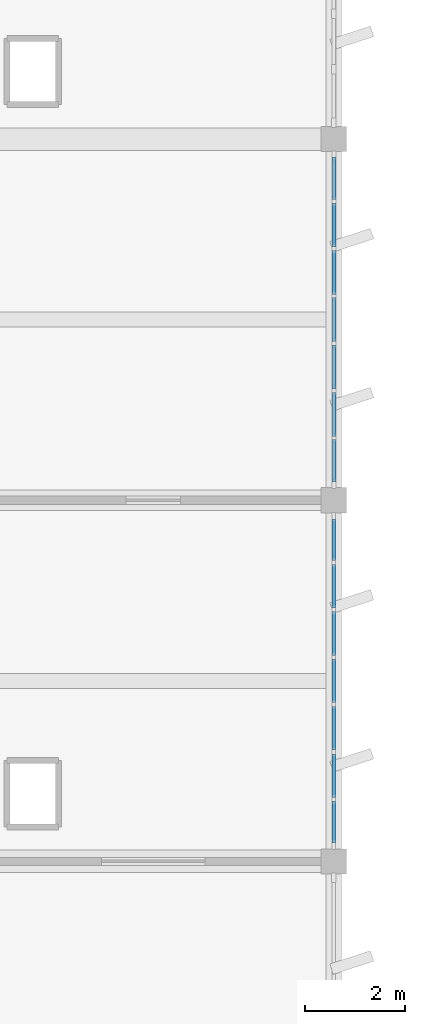
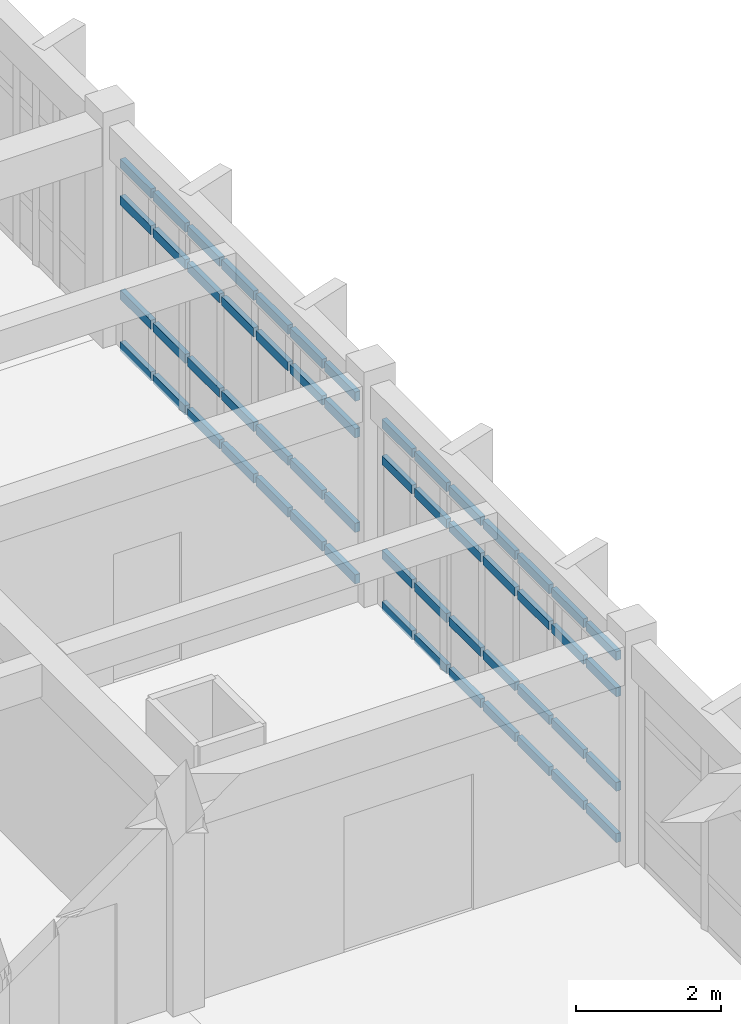
# One storey, part 23 of 40: 56 members, 2 elements without a shape of their own.
"""IFC4 building model written with IfcOpenShell, lengths in metres."""

from ifc_helpers import new_model, si_unit, direction, frame, origin, origin_2d, place, context, subcontext, project, spatial, rectangle, extrude, material, layer, layer_set, material_profile, profile_set, type_object, element, aggregate, save


model = new_model("IFC4")

# Units and contexts
model_context = context("Model", 3, precision=1e-05, world=origin(), true_north=direction((0.0, 1.0)))
body_context = subcontext(model_context, "Body", "Model", "MODEL_VIEW")
ifc_project = project(units=[si_unit("LENGTHUNIT", "METRE"), si_unit("AREAUNIT", "SQUARE_METRE"), si_unit("VOLUMEUNIT", "CUBIC_METRE"), si_unit("PLANEANGLEUNIT", "RADIAN"), si_unit("MASSUNIT", "GRAM", prefix="KILO")], contexts=[model_context])

# Site, building, storey
site_placement = place(None, origin())
site = spatial("IfcSite", under=ifc_project, at=site_placement, CompositionType="ELEMENT")
building_placement = place(site_placement, origin())
building = spatial("IfcBuilding", under=site, at=building_placement, Name="Kavelor Marine Aquarium", CompositionType="ELEMENT")
storey_placement = place(building_placement, frame((0.0, 0.0, 17.639892578125)))
storey = spatial("IfcBuildingStorey", under=building, at=storey_placement, Name="L04", CompositionType="ELEMENT", Elevation=17.639892578125)

# Curtain wall, members
ifc_material_1 = material(Name="Thermally Broken Aluminium and Low-E Glass", Category="aluminium")
ifc_layer_1 = layer(ifc_material_1, 0.14794921875)
ifc_layer_set_1 = layer_set([ifc_layer_1], Name="CW-SYS1")
curtain_wall_type_1 = type_object("IfcCurtainWallType", Name="CW-SYS1", PredefinedType="USERDEFINED", material=ifc_layer_set_1)
curtain_wall_1_placement = place(storey_placement, origin())
curtain_wall_1 = element("IfcCurtainWall", 1, at=curtain_wall_1_placement, inside=storey, type_object=curtain_wall_type_1, Name="cw:y:L04:20_11", ObjectType="Curtain Wall", PredefinedType="USERDEFINED")
ifc_material_2 = material(Name="Anodised Aluminium Alloy 6063-T6", Category="aluminium")
ifc_material_profile_1 = material_profile(ifc_material_2, rectangle(XDim=0.074951171875, YDim=0.14990234375, at=origin_2d()), Name="CW-TRN 75x150")
ifc_profile_set_1 = profile_set([ifc_material_profile_1], Name="Anodised Aluminium Alloy 6063-T6")
member_type_1 = type_object("IfcMemberType", Name="CWT-1", PredefinedType="USERDEFINED", material=ifc_profile_set_1)
member_1_placement = place(storey_placement, frame((147.199951171875, 82.3701171875, 0.03759765625), z_axis=(0.0, 1.0, 0.0), x_axis=(-1.0, 0.0, 0.0)))
member_1 = element("IfcMember", 2, at=member_1_placement, type_object=member_type_1, Name="CW01 transom 1.1", ObjectType="TRANSOM", PredefinedType="USERDEFINED", context=body_context, shape_type="SweptSolid", body=[
    extrude(rectangle(XDim=0.074951171875, YDim=0.14990234375, at=origin_2d()), origin(), (0.0, 0.0, 1.0), 0.831787109375),
])
member_2_placement = place(storey_placement, frame((147.199951171875, 82.3701171875, 0.900146484375), z_axis=(0.0, 1.0, 0.0), x_axis=(-1.0, 0.0, 0.0)))
member_2 = element("IfcMember", 3, at=member_2_placement, type_object=member_type_1, Name="CW01 transom 1.2", ObjectType="TRANSOM", PredefinedType="USERDEFINED", context=body_context, shape_type="SweptSolid", body=[
    extrude(rectangle(XDim=0.074951171875, YDim=0.14990234375, at=origin_2d()), origin(), (0.0, 0.0, 1.0), 0.831787109375),
])
member_3_placement = place(storey_placement, frame((147.199951171875, 82.3701171875, 2.489990234375), z_axis=(0.0, 1.0, 0.0), x_axis=(-1.0, 0.0, 0.0)))
member_3 = element("IfcMember", 4, at=member_3_placement, type_object=member_type_1, Name="CW01 transom 1.3", ObjectType="TRANSOM", PredefinedType="USERDEFINED", context=body_context, shape_type="SweptSolid", body=[
    extrude(rectangle(XDim=0.074951171875, YDim=0.14990234375, at=origin_2d()), origin(), (0.0, 0.0, 1.0), 0.831787109375),
])
member_4_placement = place(storey_placement, frame((147.199951171875, 82.3701171875, 3.1025390625), z_axis=(0.0, 1.0, 0.0), x_axis=(-1.0, 0.0, 0.0)))
member_4 = element("IfcMember", 5, at=member_4_placement, type_object=member_type_1, Name="CW01 transom 1.4", ObjectType="TRANSOM", PredefinedType="USERDEFINED", context=body_context, shape_type="SweptSolid", body=[
    extrude(rectangle(XDim=0.074951171875, YDim=0.14990234375, at=origin_2d()), origin(), (0.0, 0.0, 1.0), 0.831787109375),
])
member_5_placement = place(storey_placement, frame((147.199951171875, 83.27685546875, 0.03759765625), z_axis=(0.0, 1.0, 0.0), x_axis=(-1.0, 0.0, 0.0)))
member_5 = element("IfcMember", 6, at=member_5_placement, type_object=member_type_1, Name="CW01 transom 2.1", ObjectType="TRANSOM", PredefinedType="USERDEFINED", context=body_context, shape_type="SweptSolid", body=[
    extrude(rectangle(XDim=0.074951171875, YDim=0.14990234375, at=origin_2d()), origin(), (0.0, 0.0, 1.0), 0.869140625),
])
member_6_placement = place(storey_placement, frame((147.199951171875, 83.27685546875, 0.900146484375), z_axis=(0.0, 1.0, 0.0), x_axis=(-1.0, 0.0, 0.0)))
member_6 = element("IfcMember", 7, at=member_6_placement, type_object=member_type_1, Name="CW01 transom 2.2", ObjectType="TRANSOM", PredefinedType="USERDEFINED", context=body_context, shape_type="SweptSolid", body=[
    extrude(rectangle(XDim=0.074951171875, YDim=0.14990234375, at=origin_2d()), origin(), (0.0, 0.0, 1.0), 0.869140625),
])
member_7_placement = place(storey_placement, frame((147.199951171875, 83.27685546875, 2.489990234375), z_axis=(0.0, 1.0, 0.0), x_axis=(-1.0, 0.0, 0.0)))
member_7 = element("IfcMember", 8, at=member_7_placement, type_object=member_type_1, Name="CW01 transom 2.3", ObjectType="TRANSOM", PredefinedType="USERDEFINED", context=body_context, shape_type="SweptSolid", body=[
    extrude(rectangle(XDim=0.074951171875, YDim=0.14990234375, at=origin_2d()), origin(), (0.0, 0.0, 1.0), 0.869140625),
])
member_8_placement = place(storey_placement, frame((147.199951171875, 83.27685546875, 3.1025390625), z_axis=(0.0, 1.0, 0.0), x_axis=(-1.0, 0.0, 0.0)))
member_8 = element("IfcMember", 9, at=member_8_placement, type_object=member_type_1, Name="CW01 transom 2.4", ObjectType="TRANSOM", PredefinedType="USERDEFINED", context=body_context, shape_type="SweptSolid", body=[
    extrude(rectangle(XDim=0.074951171875, YDim=0.14990234375, at=origin_2d()), origin(), (0.0, 0.0, 1.0), 0.869140625),
])
member_9_placement = place(storey_placement, frame((147.199951171875, 84.22119140625, 0.03759765625), z_axis=(0.0, 1.0, 0.0), x_axis=(-1.0, 0.0, 0.0)))
member_9 = element("IfcMember", 10, at=member_9_placement, type_object=member_type_1, Name="CW01 transom 3.1", ObjectType="TRANSOM", PredefinedType="USERDEFINED", context=body_context, shape_type="SweptSolid", body=[
    extrude(rectangle(XDim=0.074951171875, YDim=0.14990234375, at=origin_2d()), origin(), (0.0, 0.0, 1.0), 0.869140625),
])
member_10_placement = place(storey_placement, frame((147.199951171875, 84.22119140625, 0.900146484375), z_axis=(0.0, 1.0, 0.0), x_axis=(-1.0, 0.0, 0.0)))
member_10 = element("IfcMember", 11, at=member_10_placement, type_object=member_type_1, Name="CW01 transom 3.2", ObjectType="TRANSOM", PredefinedType="USERDEFINED", context=body_context, shape_type="SweptSolid", body=[
    extrude(rectangle(XDim=0.074951171875, YDim=0.14990234375, at=origin_2d()), origin(), (0.0, 0.0, 1.0), 0.869140625),
])
member_11_placement = place(storey_placement, frame((147.199951171875, 84.22119140625, 2.489990234375), z_axis=(0.0, 1.0, 0.0), x_axis=(-1.0, 0.0, 0.0)))
member_11 = element("IfcMember", 12, at=member_11_placement, type_object=member_type_1, Name="CW01 transom 3.3", ObjectType="TRANSOM", PredefinedType="USERDEFINED", context=body_context, shape_type="SweptSolid", body=[
    extrude(rectangle(XDim=0.074951171875, YDim=0.14990234375, at=origin_2d()), origin(), (0.0, 0.0, 1.0), 0.869140625),
])
member_12_placement = place(storey_placement, frame((147.199951171875, 84.22119140625, 3.1025390625), z_axis=(0.0, 1.0, 0.0), x_axis=(-1.0, 0.0, 0.0)))
member_12 = element("IfcMember", 13, at=member_12_placement, type_object=member_type_1, Name="CW01 transom 3.4", ObjectType="TRANSOM", PredefinedType="USERDEFINED", context=body_context, shape_type="SweptSolid", body=[
    extrude(rectangle(XDim=0.074951171875, YDim=0.14990234375, at=origin_2d()), origin(), (0.0, 0.0, 1.0), 0.869140625),
])
member_13_placement = place(storey_placement, frame((147.199951171875, 85.165283203125, 0.03759765625), z_axis=(0.0, 1.0, 0.0), x_axis=(-1.0, 0.0, 0.0)))
member_13 = element("IfcMember", 14, at=member_13_placement, type_object=member_type_1, Name="CW01 transom 4.1", ObjectType="TRANSOM", PredefinedType="USERDEFINED", context=body_context, shape_type="SweptSolid", body=[
    extrude(rectangle(XDim=0.074951171875, YDim=0.14990234375, at=origin_2d()), origin(), (0.0, 0.0, 1.0), 0.869384765625),
])
member_14_placement = place(storey_placement, frame((147.199951171875, 85.165283203125, 0.900146484375), z_axis=(0.0, 1.0, 0.0), x_axis=(-1.0, 0.0, 0.0)))
member_14 = element("IfcMember", 15, at=member_14_placement, type_object=member_type_1, Name="CW01 transom 4.2", ObjectType="TRANSOM", PredefinedType="USERDEFINED", context=body_context, shape_type="SweptSolid", body=[
    extrude(rectangle(XDim=0.074951171875, YDim=0.14990234375, at=origin_2d()), origin(), (0.0, 0.0, 1.0), 0.869384765625),
])
member_15_placement = place(storey_placement, frame((147.199951171875, 85.165283203125, 2.489990234375), z_axis=(0.0, 1.0, 0.0), x_axis=(-1.0, 0.0, 0.0)))
member_15 = element("IfcMember", 16, at=member_15_placement, type_object=member_type_1, Name="CW01 transom 4.3", ObjectType="TRANSOM", PredefinedType="USERDEFINED", context=body_context, shape_type="SweptSolid", body=[
    extrude(rectangle(XDim=0.074951171875, YDim=0.14990234375, at=origin_2d()), origin(), (0.0, 0.0, 1.0), 0.869384765625),
])
member_16_placement = place(storey_placement, frame((147.199951171875, 85.165283203125, 3.1025390625), z_axis=(0.0, 1.0, 0.0), x_axis=(-1.0, 0.0, 0.0)))
member_16 = element("IfcMember", 17, at=member_16_placement, type_object=member_type_1, Name="CW01 transom 4.4", ObjectType="TRANSOM", PredefinedType="USERDEFINED", context=body_context, shape_type="SweptSolid", body=[
    extrude(rectangle(XDim=0.074951171875, YDim=0.14990234375, at=origin_2d()), origin(), (0.0, 0.0, 1.0), 0.869384765625),
])
member_17_placement = place(storey_placement, frame((147.199951171875, 86.109619140625, 0.03759765625), z_axis=(0.0, 1.0, 0.0), x_axis=(-1.0, 0.0, 0.0)))
member_17 = element("IfcMember", 18, at=member_17_placement, type_object=member_type_1, Name="CW01 transom 5.1", ObjectType="TRANSOM", PredefinedType="USERDEFINED", context=body_context, shape_type="SweptSolid", body=[
    extrude(rectangle(XDim=0.074951171875, YDim=0.14990234375, at=origin_2d()), origin(), (0.0, 0.0, 1.0), 0.869384765625),
])
member_18_placement = place(storey_placement, frame((147.199951171875, 86.109619140625, 0.900146484375), z_axis=(0.0, 1.0, 0.0), x_axis=(-1.0, 0.0, 0.0)))
member_18 = element("IfcMember", 19, at=member_18_placement, type_object=member_type_1, Name="CW01 transom 5.2", ObjectType="TRANSOM", PredefinedType="USERDEFINED", context=body_context, shape_type="SweptSolid", body=[
    extrude(rectangle(XDim=0.074951171875, YDim=0.14990234375, at=origin_2d()), origin(), (0.0, 0.0, 1.0), 0.869384765625),
])
member_19_placement = place(storey_placement, frame((147.199951171875, 86.109619140625, 2.489990234375), z_axis=(0.0, 1.0, 0.0), x_axis=(-1.0, 0.0, 0.0)))
member_19 = element("IfcMember", 20, at=member_19_placement, type_object=member_type_1, Name="CW01 transom 5.3", ObjectType="TRANSOM", PredefinedType="USERDEFINED", context=body_context, shape_type="SweptSolid", body=[
    extrude(rectangle(XDim=0.074951171875, YDim=0.14990234375, at=origin_2d()), origin(), (0.0, 0.0, 1.0), 0.869384765625),
])
member_20_placement = place(storey_placement, frame((147.199951171875, 86.109619140625, 3.1025390625), z_axis=(0.0, 1.0, 0.0), x_axis=(-1.0, 0.0, 0.0)))
member_20 = element("IfcMember", 21, at=member_20_placement, type_object=member_type_1, Name="CW01 transom 5.4", ObjectType="TRANSOM", PredefinedType="USERDEFINED", context=body_context, shape_type="SweptSolid", body=[
    extrude(rectangle(XDim=0.074951171875, YDim=0.14990234375, at=origin_2d()), origin(), (0.0, 0.0, 1.0), 0.869384765625),
])
member_21_placement = place(storey_placement, frame((147.199951171875, 87.053955078125, 0.03759765625), z_axis=(0.0, 1.0, 0.0), x_axis=(-1.0, 0.0, 0.0)))
member_21 = element("IfcMember", 22, at=member_21_placement, type_object=member_type_1, Name="CW01 transom 6.1", ObjectType="TRANSOM", PredefinedType="USERDEFINED", context=body_context, shape_type="SweptSolid", body=[
    extrude(rectangle(XDim=0.074951171875, YDim=0.14990234375, at=origin_2d()), origin(), (0.0, 0.0, 1.0), 0.869140625),
])
member_22_placement = place(storey_placement, frame((147.199951171875, 87.053955078125, 0.900146484375), z_axis=(0.0, 1.0, 0.0), x_axis=(-1.0, 0.0, 0.0)))
member_22 = element("IfcMember", 23, at=member_22_placement, type_object=member_type_1, Name="CW01 transom 6.2", ObjectType="TRANSOM", PredefinedType="USERDEFINED", context=body_context, shape_type="SweptSolid", body=[
    extrude(rectangle(XDim=0.074951171875, YDim=0.14990234375, at=origin_2d()), origin(), (0.0, 0.0, 1.0), 0.869140625),
])
member_23_placement = place(storey_placement, frame((147.199951171875, 87.053955078125, 2.489990234375), z_axis=(0.0, 1.0, 0.0), x_axis=(-1.0, 0.0, 0.0)))
member_23 = element("IfcMember", 24, at=member_23_placement, type_object=member_type_1, Name="CW01 transom 6.3", ObjectType="TRANSOM", PredefinedType="USERDEFINED", context=body_context, shape_type="SweptSolid", body=[
    extrude(rectangle(XDim=0.074951171875, YDim=0.14990234375, at=origin_2d()), origin(), (0.0, 0.0, 1.0), 0.869140625),
])
member_24_placement = place(storey_placement, frame((147.199951171875, 87.053955078125, 3.1025390625), z_axis=(0.0, 1.0, 0.0), x_axis=(-1.0, 0.0, 0.0)))
member_24 = element("IfcMember", 25, at=member_24_placement, type_object=member_type_1, Name="CW01 transom 6.4", ObjectType="TRANSOM", PredefinedType="USERDEFINED", context=body_context, shape_type="SweptSolid", body=[
    extrude(rectangle(XDim=0.074951171875, YDim=0.14990234375, at=origin_2d()), origin(), (0.0, 0.0, 1.0), 0.869140625),
])
member_25_placement = place(storey_placement, frame((147.199951171875, 87.998291015625, 0.03759765625), z_axis=(0.0, 1.0, 0.0), x_axis=(-1.0, 0.0, 0.0)))
member_25 = element("IfcMember", 26, at=member_25_placement, type_object=member_type_1, Name="CW01 transom 7.1", ObjectType="TRANSOM", PredefinedType="USERDEFINED", context=body_context, shape_type="SweptSolid", body=[
    extrude(rectangle(XDim=0.074951171875, YDim=0.14990234375, at=origin_2d()), origin(), (0.0, 0.0, 1.0), 0.831787109375),
])
member_26_placement = place(storey_placement, frame((147.199951171875, 87.998291015625, 0.900146484375), z_axis=(0.0, 1.0, 0.0), x_axis=(-1.0, 0.0, 0.0)))
member_26 = element("IfcMember", 27, at=member_26_placement, type_object=member_type_1, Name="CW01 transom 7.2", ObjectType="TRANSOM", PredefinedType="USERDEFINED", context=body_context, shape_type="SweptSolid", body=[
    extrude(rectangle(XDim=0.074951171875, YDim=0.14990234375, at=origin_2d()), origin(), (0.0, 0.0, 1.0), 0.831787109375),
])
member_27_placement = place(storey_placement, frame((147.199951171875, 87.998291015625, 2.489990234375), z_axis=(0.0, 1.0, 0.0), x_axis=(-1.0, 0.0, 0.0)))
member_27 = element("IfcMember", 28, at=member_27_placement, type_object=member_type_1, Name="CW01 transom 7.3", ObjectType="TRANSOM", PredefinedType="USERDEFINED", context=body_context, shape_type="SweptSolid", body=[
    extrude(rectangle(XDim=0.074951171875, YDim=0.14990234375, at=origin_2d()), origin(), (0.0, 0.0, 1.0), 0.831787109375),
])
member_28_placement = place(storey_placement, frame((147.199951171875, 87.998291015625, 3.1025390625), z_axis=(0.0, 1.0, 0.0), x_axis=(-1.0, 0.0, 0.0)))
member_28 = element("IfcMember", 29, at=member_28_placement, type_object=member_type_1, Name="CW01 transom 7.4", ObjectType="TRANSOM", PredefinedType="USERDEFINED", context=body_context, shape_type="SweptSolid", body=[
    extrude(rectangle(XDim=0.074951171875, YDim=0.14990234375, at=origin_2d()), origin(), (0.0, 0.0, 1.0), 0.831787109375),
])
aggregate(curtain_wall_1, [member_1, member_2, member_3, member_4, member_5, member_6, member_7, member_8, member_9, member_10, member_11, member_12, member_13, member_14, member_15, member_16, member_17, member_18, member_19, member_20, member_21, member_22, member_23, member_24, member_25, member_26, member_27, member_28])

ifc_material_3 = material(Name="Thermally Broken Aluminium and Low-E Glass", Category="aluminium")
ifc_layer_2 = layer(ifc_material_3, 0.156005859375)
ifc_layer_set_2 = layer_set([ifc_layer_2], Name="CW-SYS2")
curtain_wall_type_2 = type_object("IfcCurtainWallType", Name="CW-SYS2", PredefinedType="USERDEFINED", material=ifc_layer_set_2)
curtain_wall_2_placement = place(storey_placement, origin())
curtain_wall_2 = element("IfcCurtainWall", 30, at=curtain_wall_2_placement, inside=storey, type_object=curtain_wall_type_2, Name="cw:y:L04:20_12", ObjectType="Curtain Wall", PredefinedType="USERDEFINED")
ifc_material_4 = material(Name="Anodised Aluminium Alloy 6063-T6", Category="aluminium")
ifc_material_profile_2 = material_profile(ifc_material_4, rectangle(XDim=0.080078125, YDim=0.155029296875, at=origin_2d()), Name="CW-TRN 80x155")
ifc_profile_set_2 = profile_set([ifc_material_profile_2], Name="Anodised Aluminium Alloy 6063-T6")
member_type_2 = type_object("IfcMemberType", Name="CWT-2", PredefinedType="USERDEFINED", material=ifc_profile_set_2)
member_29_placement = place(storey_placement, frame((147.199951171875, 89.56005859375, 0.03271484375), z_axis=(0.0, 1.0, 0.0), x_axis=(-1.0, 0.0, 0.0)))
member_29 = element("IfcMember", 31, at=member_29_placement, type_object=member_type_2, Name="CW02 transom 1.1", ObjectType="TRANSOM", PredefinedType="USERDEFINED", context=body_context, shape_type="SweptSolid", body=[
    extrude(rectangle(XDim=0.080078125, YDim=0.155029296875, at=origin_2d()), origin(), (0.0, 0.0, 1.0), 0.8466796875),
])
member_30_placement = place(storey_placement, frame((147.199951171875, 89.56005859375, 0.900146484375), z_axis=(0.0, 1.0, 0.0), x_axis=(-1.0, 0.0, 0.0)))
member_30 = element("IfcMember", 32, at=member_30_placement, type_object=member_type_2, Name="CW02 transom 1.2", ObjectType="TRANSOM", PredefinedType="USERDEFINED", context=body_context, shape_type="SweptSolid", body=[
    extrude(rectangle(XDim=0.080078125, YDim=0.155029296875, at=origin_2d()), origin(), (0.0, 0.0, 1.0), 0.8466796875),
])
member_31_placement = place(storey_placement, frame((147.199951171875, 89.56005859375, 2.489990234375), z_axis=(0.0, 1.0, 0.0), x_axis=(-1.0, 0.0, 0.0)))
member_31 = element("IfcMember", 33, at=member_31_placement, type_object=member_type_2, Name="CW02 transom 1.3", ObjectType="TRANSOM", PredefinedType="USERDEFINED", context=body_context, shape_type="SweptSolid", body=[
    extrude(rectangle(XDim=0.080078125, YDim=0.155029296875, at=origin_2d()), origin(), (0.0, 0.0, 1.0), 0.8466796875),
])
member_32_placement = place(storey_placement, frame((147.199951171875, 89.56005859375, 3.107666015625), z_axis=(0.0, 1.0, 0.0), x_axis=(-1.0, 0.0, 0.0)))
member_32 = element("IfcMember", 34, at=member_32_placement, type_object=member_type_2, Name="CW02 transom 1.4", ObjectType="TRANSOM", PredefinedType="USERDEFINED", context=body_context, shape_type="SweptSolid", body=[
    extrude(rectangle(XDim=0.080078125, YDim=0.155029296875, at=origin_2d()), origin(), (0.0, 0.0, 1.0), 0.8466796875),
])
member_33_placement = place(storey_placement, frame((147.199951171875, 90.4716796875, 0.03271484375), z_axis=(0.0, 1.0, 0.0), x_axis=(-1.0, 0.0, 0.0)))
member_33 = element("IfcMember", 35, at=member_33_placement, type_object=member_type_2, Name="CW02 transom 2.1", ObjectType="TRANSOM", PredefinedType="USERDEFINED", context=body_context, shape_type="SweptSolid", body=[
    extrude(rectangle(XDim=0.080078125, YDim=0.155029296875, at=origin_2d()), origin(), (0.0, 0.0, 1.0), 0.87939453125),
])
member_34_placement = place(storey_placement, frame((147.199951171875, 90.4716796875, 0.900146484375), z_axis=(0.0, 1.0, 0.0), x_axis=(-1.0, 0.0, 0.0)))
member_34 = element("IfcMember", 36, at=member_34_placement, type_object=member_type_2, Name="CW02 transom 2.2", ObjectType="TRANSOM", PredefinedType="USERDEFINED", context=body_context, shape_type="SweptSolid", body=[
    extrude(rectangle(XDim=0.080078125, YDim=0.155029296875, at=origin_2d()), origin(), (0.0, 0.0, 1.0), 0.87939453125),
])
member_35_placement = place(storey_placement, frame((147.199951171875, 90.4716796875, 2.489990234375), z_axis=(0.0, 1.0, 0.0), x_axis=(-1.0, 0.0, 0.0)))
member_35 = element("IfcMember", 37, at=member_35_placement, type_object=member_type_2, Name="CW02 transom 2.3", ObjectType="TRANSOM", PredefinedType="USERDEFINED", context=body_context, shape_type="SweptSolid", body=[
    extrude(rectangle(XDim=0.080078125, YDim=0.155029296875, at=origin_2d()), origin(), (0.0, 0.0, 1.0), 0.87939453125),
])
member_36_placement = place(storey_placement, frame((147.199951171875, 90.4716796875, 3.107666015625), z_axis=(0.0, 1.0, 0.0), x_axis=(-1.0, 0.0, 0.0)))
member_36 = element("IfcMember", 38, at=member_36_placement, type_object=member_type_2, Name="CW02 transom 2.4", ObjectType="TRANSOM", PredefinedType="USERDEFINED", context=body_context, shape_type="SweptSolid", body=[
    extrude(rectangle(XDim=0.080078125, YDim=0.155029296875, at=origin_2d()), origin(), (0.0, 0.0, 1.0), 0.87939453125),
])
member_37_placement = place(storey_placement, frame((147.199951171875, 91.416015625, 0.03271484375), z_axis=(0.0, 1.0, 0.0), x_axis=(-1.0, 0.0, 0.0)))
member_37 = element("IfcMember", 39, at=member_37_placement, type_object=member_type_2, Name="CW02 transom 3.1", ObjectType="TRANSOM", PredefinedType="USERDEFINED", context=body_context, shape_type="SweptSolid", body=[
    extrude(rectangle(XDim=0.080078125, YDim=0.155029296875, at=origin_2d()), origin(), (0.0, 0.0, 1.0), 0.87939453125),
])
member_38_placement = place(storey_placement, frame((147.199951171875, 91.416015625, 0.900146484375), z_axis=(0.0, 1.0, 0.0), x_axis=(-1.0, 0.0, 0.0)))
member_38 = element("IfcMember", 40, at=member_38_placement, type_object=member_type_2, Name="CW02 transom 3.2", ObjectType="TRANSOM", PredefinedType="USERDEFINED", context=body_context, shape_type="SweptSolid", body=[
    extrude(rectangle(XDim=0.080078125, YDim=0.155029296875, at=origin_2d()), origin(), (0.0, 0.0, 1.0), 0.87939453125),
])
member_39_placement = place(storey_placement, frame((147.199951171875, 91.416015625, 2.489990234375), z_axis=(0.0, 1.0, 0.0), x_axis=(-1.0, 0.0, 0.0)))
member_39 = element("IfcMember", 41, at=member_39_placement, type_object=member_type_2, Name="CW02 transom 3.3", ObjectType="TRANSOM", PredefinedType="USERDEFINED", context=body_context, shape_type="SweptSolid", body=[
    extrude(rectangle(XDim=0.080078125, YDim=0.155029296875, at=origin_2d()), origin(), (0.0, 0.0, 1.0), 0.87939453125),
])
member_40_placement = place(storey_placement, frame((147.199951171875, 91.416015625, 3.107666015625), z_axis=(0.0, 1.0, 0.0), x_axis=(-1.0, 0.0, 0.0)))
member_40 = element("IfcMember", 42, at=member_40_placement, type_object=member_type_2, Name="CW02 transom 3.4", ObjectType="TRANSOM", PredefinedType="USERDEFINED", context=body_context, shape_type="SweptSolid", body=[
    extrude(rectangle(XDim=0.080078125, YDim=0.155029296875, at=origin_2d()), origin(), (0.0, 0.0, 1.0), 0.87939453125),
])
member_41_placement = place(storey_placement, frame((147.199951171875, 92.3603515625, 0.03271484375), z_axis=(0.0, 1.0, 0.0), x_axis=(-1.0, 0.0, 0.0)))
member_41 = element("IfcMember", 43, at=member_41_placement, type_object=member_type_2, Name="CW02 transom 4.1", ObjectType="TRANSOM", PredefinedType="USERDEFINED", context=body_context, shape_type="SweptSolid", body=[
    extrude(rectangle(XDim=0.080078125, YDim=0.155029296875, at=origin_2d()), origin(), (0.0, 0.0, 1.0), 0.87939453125),
])
member_42_placement = place(storey_placement, frame((147.199951171875, 92.3603515625, 0.900146484375), z_axis=(0.0, 1.0, 0.0), x_axis=(-1.0, 0.0, 0.0)))
member_42 = element("IfcMember", 44, at=member_42_placement, type_object=member_type_2, Name="CW02 transom 4.2", ObjectType="TRANSOM", PredefinedType="USERDEFINED", context=body_context, shape_type="SweptSolid", body=[
    extrude(rectangle(XDim=0.080078125, YDim=0.155029296875, at=origin_2d()), origin(), (0.0, 0.0, 1.0), 0.87939453125),
])
member_43_placement = place(storey_placement, frame((147.199951171875, 92.3603515625, 2.489990234375), z_axis=(0.0, 1.0, 0.0), x_axis=(-1.0, 0.0, 0.0)))
member_43 = element("IfcMember", 45, at=member_43_placement, type_object=member_type_2, Name="CW02 transom 4.3", ObjectType="TRANSOM", PredefinedType="USERDEFINED", context=body_context, shape_type="SweptSolid", body=[
    extrude(rectangle(XDim=0.080078125, YDim=0.155029296875, at=origin_2d()), origin(), (0.0, 0.0, 1.0), 0.87939453125),
])
member_44_placement = place(storey_placement, frame((147.199951171875, 92.3603515625, 3.107666015625), z_axis=(0.0, 1.0, 0.0), x_axis=(-1.0, 0.0, 0.0)))
member_44 = element("IfcMember", 46, at=member_44_placement, type_object=member_type_2, Name="CW02 transom 4.4", ObjectType="TRANSOM", PredefinedType="USERDEFINED", context=body_context, shape_type="SweptSolid", body=[
    extrude(rectangle(XDim=0.080078125, YDim=0.155029296875, at=origin_2d()), origin(), (0.0, 0.0, 1.0), 0.87939453125),
])
member_45_placement = place(storey_placement, frame((147.199951171875, 93.3046875, 0.03271484375), z_axis=(0.0, 1.0, 0.0), x_axis=(-1.0, 0.0, 0.0)))
member_45 = element("IfcMember", 47, at=member_45_placement, type_object=member_type_2, Name="CW02 transom 5.1", ObjectType="TRANSOM", PredefinedType="USERDEFINED", context=body_context, shape_type="SweptSolid", body=[
    extrude(rectangle(XDim=0.080078125, YDim=0.155029296875, at=origin_2d()), origin(), (0.0, 0.0, 1.0), 0.879150390625),
])
member_46_placement = place(storey_placement, frame((147.199951171875, 93.3046875, 0.900146484375), z_axis=(0.0, 1.0, 0.0), x_axis=(-1.0, 0.0, 0.0)))
member_46 = element("IfcMember", 48, at=member_46_placement, type_object=member_type_2, Name="CW02 transom 5.2", ObjectType="TRANSOM", PredefinedType="USERDEFINED", context=body_context, shape_type="SweptSolid", body=[
    extrude(rectangle(XDim=0.080078125, YDim=0.155029296875, at=origin_2d()), origin(), (0.0, 0.0, 1.0), 0.879150390625),
])
member_47_placement = place(storey_placement, frame((147.199951171875, 93.3046875, 2.489990234375), z_axis=(0.0, 1.0, 0.0), x_axis=(-1.0, 0.0, 0.0)))
member_47 = element("IfcMember", 49, at=member_47_placement, type_object=member_type_2, Name="CW02 transom 5.3", ObjectType="TRANSOM", PredefinedType="USERDEFINED", context=body_context, shape_type="SweptSolid", body=[
    extrude(rectangle(XDim=0.080078125, YDim=0.155029296875, at=origin_2d()), origin(), (0.0, 0.0, 1.0), 0.879150390625),
])
member_48_placement = place(storey_placement, frame((147.199951171875, 93.3046875, 3.107666015625), z_axis=(0.0, 1.0, 0.0), x_axis=(-1.0, 0.0, 0.0)))
member_48 = element("IfcMember", 50, at=member_48_placement, type_object=member_type_2, Name="CW02 transom 5.4", ObjectType="TRANSOM", PredefinedType="USERDEFINED", context=body_context, shape_type="SweptSolid", body=[
    extrude(rectangle(XDim=0.080078125, YDim=0.155029296875, at=origin_2d()), origin(), (0.0, 0.0, 1.0), 0.879150390625),
])
member_49_placement = place(storey_placement, frame((147.199951171875, 94.2490234375, 0.03271484375), z_axis=(0.0, 1.0, 0.0), x_axis=(-1.0, 0.0, 0.0)))
member_49 = element("IfcMember", 51, at=member_49_placement, type_object=member_type_2, Name="CW02 transom 6.1", ObjectType="TRANSOM", PredefinedType="USERDEFINED", context=body_context, shape_type="SweptSolid", body=[
    extrude(rectangle(XDim=0.080078125, YDim=0.155029296875, at=origin_2d()), origin(), (0.0, 0.0, 1.0), 0.879150390625),
])
member_50_placement = place(storey_placement, frame((147.199951171875, 94.2490234375, 0.900146484375), z_axis=(0.0, 1.0, 0.0), x_axis=(-1.0, 0.0, 0.0)))
member_50 = element("IfcMember", 52, at=member_50_placement, type_object=member_type_2, Name="CW02 transom 6.2", ObjectType="TRANSOM", PredefinedType="USERDEFINED", context=body_context, shape_type="SweptSolid", body=[
    extrude(rectangle(XDim=0.080078125, YDim=0.155029296875, at=origin_2d()), origin(), (0.0, 0.0, 1.0), 0.879150390625),
])
member_51_placement = place(storey_placement, frame((147.199951171875, 94.2490234375, 2.489990234375), z_axis=(0.0, 1.0, 0.0), x_axis=(-1.0, 0.0, 0.0)))
member_51 = element("IfcMember", 53, at=member_51_placement, type_object=member_type_2, Name="CW02 transom 6.3", ObjectType="TRANSOM", PredefinedType="USERDEFINED", context=body_context, shape_type="SweptSolid", body=[
    extrude(rectangle(XDim=0.080078125, YDim=0.155029296875, at=origin_2d()), origin(), (0.0, 0.0, 1.0), 0.879150390625),
])
member_52_placement = place(storey_placement, frame((147.199951171875, 94.2490234375, 3.107666015625), z_axis=(0.0, 1.0, 0.0), x_axis=(-1.0, 0.0, 0.0)))
member_52 = element("IfcMember", 54, at=member_52_placement, type_object=member_type_2, Name="CW02 transom 6.4", ObjectType="TRANSOM", PredefinedType="USERDEFINED", context=body_context, shape_type="SweptSolid", body=[
    extrude(rectangle(XDim=0.080078125, YDim=0.155029296875, at=origin_2d()), origin(), (0.0, 0.0, 1.0), 0.879150390625),
])
member_53_placement = place(storey_placement, frame((147.199951171875, 95.193115234375, 0.03271484375), z_axis=(0.0, 1.0, 0.0), x_axis=(-1.0, 0.0, 0.0)))
member_53 = element("IfcMember", 55, at=member_53_placement, type_object=member_type_2, Name="CW02 transom 7.1", ObjectType="TRANSOM", PredefinedType="USERDEFINED", context=body_context, shape_type="SweptSolid", body=[
    extrude(rectangle(XDim=0.080078125, YDim=0.155029296875, at=origin_2d()), origin(), (0.0, 0.0, 1.0), 0.846923828125),
])
member_54_placement = place(storey_placement, frame((147.199951171875, 95.193115234375, 0.900146484375), z_axis=(0.0, 1.0, 0.0), x_axis=(-1.0, 0.0, 0.0)))
member_54 = element("IfcMember", 56, at=member_54_placement, type_object=member_type_2, Name="CW02 transom 7.2", ObjectType="TRANSOM", PredefinedType="USERDEFINED", context=body_context, shape_type="SweptSolid", body=[
    extrude(rectangle(XDim=0.080078125, YDim=0.155029296875, at=origin_2d()), origin(), (0.0, 0.0, 1.0), 0.846923828125),
])
member_55_placement = place(storey_placement, frame((147.199951171875, 95.193115234375, 2.489990234375), z_axis=(0.0, 1.0, 0.0), x_axis=(-1.0, 0.0, 0.0)))
member_55 = element("IfcMember", 57, at=member_55_placement, type_object=member_type_2, Name="CW02 transom 7.3", ObjectType="TRANSOM", PredefinedType="USERDEFINED", context=body_context, shape_type="SweptSolid", body=[
    extrude(rectangle(XDim=0.080078125, YDim=0.155029296875, at=origin_2d()), origin(), (0.0, 0.0, 1.0), 0.846923828125),
])
member_56_placement = place(storey_placement, frame((147.199951171875, 95.193115234375, 3.107666015625), z_axis=(0.0, 1.0, 0.0), x_axis=(-1.0, 0.0, 0.0)))
member_56 = element("IfcMember", 58, at=member_56_placement, type_object=member_type_2, Name="CW02 transom 7.4", ObjectType="TRANSOM", PredefinedType="USERDEFINED", context=body_context, shape_type="SweptSolid", body=[
    extrude(rectangle(XDim=0.080078125, YDim=0.155029296875, at=origin_2d()), origin(), (0.0, 0.0, 1.0), 0.846923828125),
])
aggregate(curtain_wall_2, [member_29, member_30, member_31, member_32, member_33, member_34, member_35, member_36, member_37, member_38, member_39, member_40, member_41, member_42, member_43, member_44, member_45, member_46, member_47, member_48, member_49, member_50, member_51, member_52, member_53, member_54, member_55, member_56])

save(model, "model.ifc")
